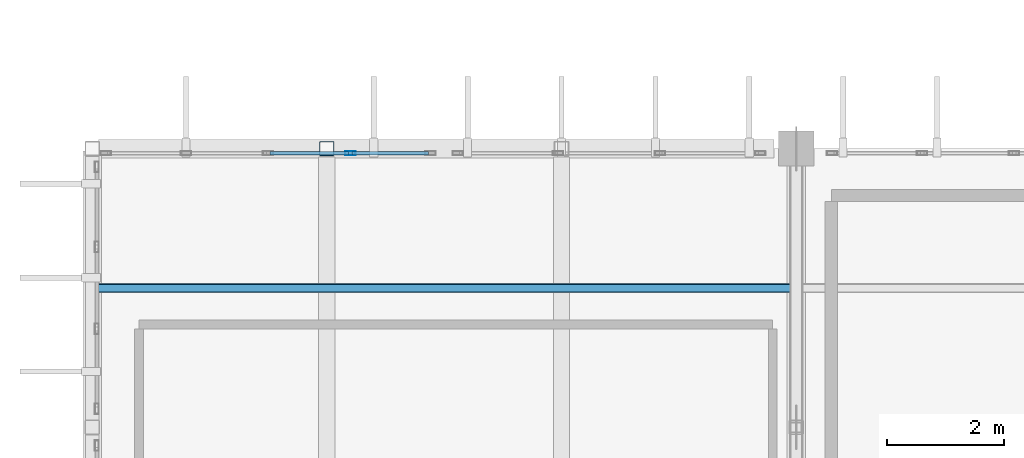
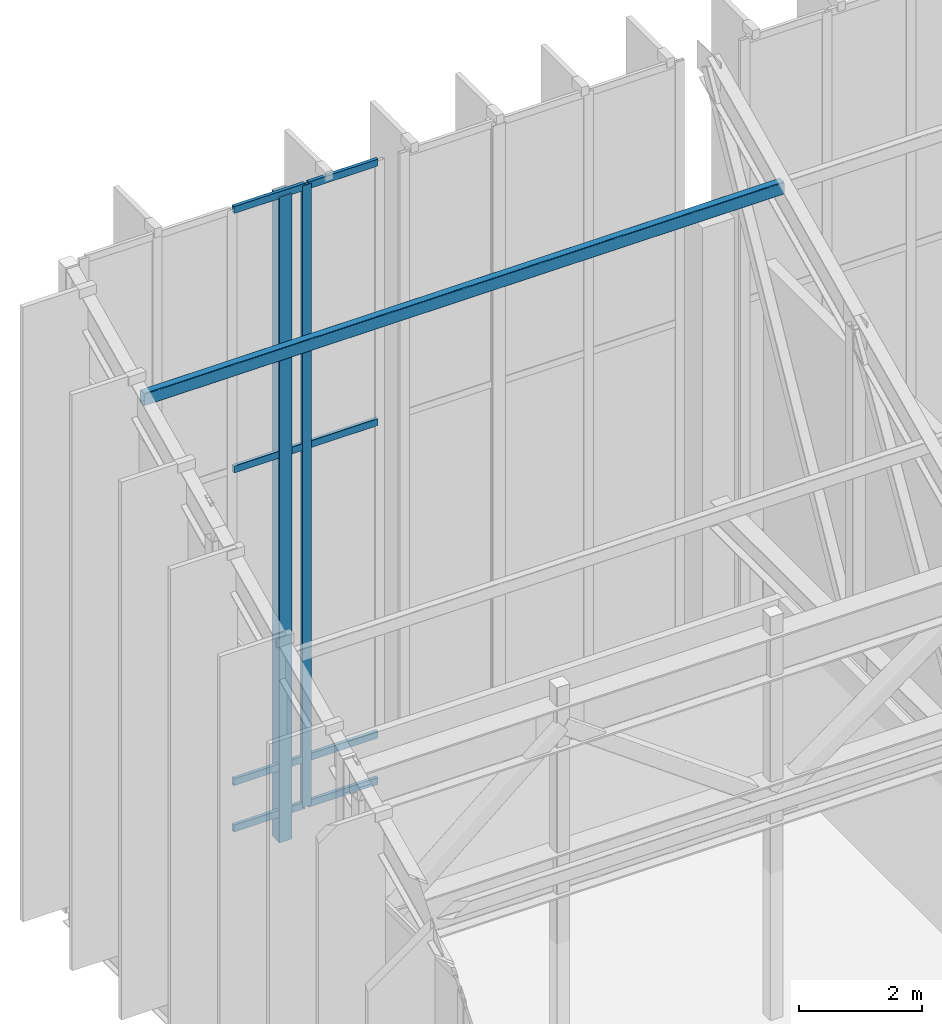
# One storey, part 30 of 68: 11 members, 1 element without a shape of its own.
"""IFC4 building model written with IfcOpenShell, lengths in metres."""

from ifc_helpers import new_model, si_unit, direction, frame, origin, origin_2d, place, context, subcontext, project, spatial, hollow_rectangle, extrude, material, material_profile, profile_set, type_object, element, aggregate, save


model = new_model("IFC4")

# Units and contexts
model_context = context("Model", 3, precision=1e-05, world=origin(), true_north=direction((0.0, 1.0)))
body_context = subcontext(model_context, "Body", "Model", "MODEL_VIEW")
ifc_project = project(units=[si_unit("LENGTHUNIT", "METRE"), si_unit("AREAUNIT", "SQUARE_METRE"), si_unit("VOLUMEUNIT", "CUBIC_METRE"), si_unit("PLANEANGLEUNIT", "RADIAN"), si_unit("MASSUNIT", "GRAM", prefix="KILO")], contexts=[model_context])

# Site, building, storey
site_placement = place(None, origin())
site = spatial("IfcSite", under=ifc_project, at=site_placement, CompositionType="ELEMENT")
building_placement = place(site_placement, origin())
building = spatial("IfcBuilding", under=site, at=building_placement, Name="Miravela Opera House", CompositionType="ELEMENT")
storey_placement = place(building_placement, frame((0.0, 0.0, 21.760009765625)))
storey = spatial("IfcBuildingStorey", under=building, at=storey_placement, Name="L05", CompositionType="ELEMENT", Elevation=21.760009765625)

# Curtain wall, members
ifc_material_1 = material(Name="Anodised architectural bronze aluminium 6063-T6", Category="aluminium")
curtain_wall_type = type_object("IfcCurtainWallType", Name="ARC-CW-03", PredefinedType="NOTDEFINED", material=ifc_material_1)
curtain_wall_placement = place(storey_placement, origin())
curtain_wall = element("IfcCurtainWall", 1, at=curtain_wall_placement, inside=storey, type_object=curtain_wall_type, Name="Auditorium North Wrapper Glazing CW-L05-055", PredefinedType="NOTDEFINED")
ifc_material_profile_1 = material_profile(ifc_material_1, hollow_rectangle(XDim=0.06494140625, YDim=0.179931640625, WallThickness=0.00390625, InnerFilletRadius=0.001953125, OuterFilletRadius=0.00390625, at=origin_2d()), Name="CWM-65X180")
ifc_profile_set_1 = profile_set([ifc_material_profile_1])
member_type_1 = type_object("IfcMemberType", Name="ARC-CWM-180", PredefinedType="MULLION", material=ifc_profile_set_1)
member_1_placement = place(storey_placement, frame((19.39990234375, 74.919921875, 0.0), z_axis=(0.0, 0.0, 1.0), x_axis=(0.0, 1.0, 0.0)))
member_1 = element("IfcMember", 2, at=member_1_placement, type_object=member_type_1, Name="CW-03 mullion 4", PredefinedType="MULLION", context=body_context, shape_type="SweptSolid", body=[
    extrude(hollow_rectangle(XDim=0.06494140625, YDim=0.179931640625, WallThickness=0.00390625, InnerFilletRadius=0.001953125, OuterFilletRadius=0.00390625, at=origin_2d()), origin(), (0.0, 0.0, 1.0), 12.31005859375),
])
ifc_material_profile_2 = material_profile(ifc_material_1, hollow_rectangle(XDim=0.06494140625, YDim=0.139892578125, WallThickness=0.00390625, InnerFilletRadius=0.001953125, OuterFilletRadius=0.00390625, at=origin_2d()), Name="CWT-65X140")
ifc_profile_set_2 = profile_set([ifc_material_profile_2])
member_type_2 = type_object("IfcMemberType", Name="ARC-CWT-140", PredefinedType="USERDEFINED", material=ifc_profile_set_2)
member_2_placement = place(storey_placement, frame((18.032470703125, 74.919921875, 0.032470703125), z_axis=(1.0, 0.0, 0.0), x_axis=(0.0, 1.0, 0.0)))
member_2 = element("IfcMember", 3, at=member_2_placement, type_object=member_type_2, Name="CW-03 transom 3.1", ObjectType="TRANSOM", PredefinedType="USERDEFINED", context=body_context, shape_type="SweptSolid", body=[
    extrude(hollow_rectangle(XDim=0.06494140625, YDim=0.139892578125, WallThickness=0.00390625, InnerFilletRadius=0.001953125, OuterFilletRadius=0.00390625, at=origin_2d()), origin(), (0.0, 0.0, 1.0), 1.3349609375),
])
member_3_placement = place(storey_placement, frame((18.032470703125, 74.919921875, 0.949951171875), z_axis=(1.0, 0.0, 0.0), x_axis=(0.0, 1.0, 0.0)))
member_3 = element("IfcMember", 4, at=member_3_placement, type_object=member_type_2, Name="CW-03 transom 3.2", ObjectType="TRANSOM", PredefinedType="USERDEFINED", context=body_context, shape_type="SweptSolid", body=[
    extrude(hollow_rectangle(XDim=0.06494140625, YDim=0.139892578125, WallThickness=0.00390625, InnerFilletRadius=0.001953125, OuterFilletRadius=0.00390625, at=origin_2d()), origin(), (0.0, 0.0, 1.0), 1.3349609375),
])
member_4_placement = place(storey_placement, frame((18.032470703125, 74.919921875, 7.139892578125), z_axis=(1.0, 0.0, 0.0), x_axis=(0.0, 1.0, 0.0)))
member_4 = element("IfcMember", 5, at=member_4_placement, type_object=member_type_2, Name="CW-03 transom 3.3", ObjectType="TRANSOM", PredefinedType="USERDEFINED", context=body_context, shape_type="SweptSolid", body=[
    extrude(hollow_rectangle(XDim=0.06494140625, YDim=0.139892578125, WallThickness=0.00390625, InnerFilletRadius=0.001953125, OuterFilletRadius=0.00390625, at=origin_2d()), origin(), (0.0, 0.0, 1.0), 1.3349609375),
])
member_5_placement = place(storey_placement, frame((18.032470703125, 74.919921875, 12.277587890625), z_axis=(1.0, 0.0, 0.0), x_axis=(0.0, 1.0, 0.0)))
member_5 = element("IfcMember", 6, at=member_5_placement, type_object=member_type_2, Name="CW-03 transom 3.4", ObjectType="TRANSOM", PredefinedType="USERDEFINED", context=body_context, shape_type="SweptSolid", body=[
    extrude(hollow_rectangle(XDim=0.06494140625, YDim=0.139892578125, WallThickness=0.00390625, InnerFilletRadius=0.001953125, OuterFilletRadius=0.00390625, at=origin_2d()), origin(), (0.0, 0.0, 1.0), 1.3349609375),
])
member_6_placement = place(storey_placement, frame((19.4326171875, 74.919921875, 0.032470703125), z_axis=(1.0, 0.0, 0.0), x_axis=(0.0, 1.0, 0.0)))
member_6 = element("IfcMember", 7, at=member_6_placement, type_object=member_type_2, Name="CW-03 transom 4.1", ObjectType="TRANSOM", PredefinedType="USERDEFINED", context=body_context, shape_type="SweptSolid", body=[
    extrude(hollow_rectangle(XDim=0.06494140625, YDim=0.139892578125, WallThickness=0.00390625, InnerFilletRadius=0.001953125, OuterFilletRadius=0.00390625, at=origin_2d()), origin(), (0.0, 0.0, 1.0), 1.302490234375),
])
member_7_placement = place(storey_placement, frame((19.4326171875, 74.919921875, 0.949951171875), z_axis=(1.0, 0.0, 0.0), x_axis=(0.0, 1.0, 0.0)))
member_7 = element("IfcMember", 8, at=member_7_placement, type_object=member_type_2, Name="CW-03 transom 4.2", ObjectType="TRANSOM", PredefinedType="USERDEFINED", context=body_context, shape_type="SweptSolid", body=[
    extrude(hollow_rectangle(XDim=0.06494140625, YDim=0.139892578125, WallThickness=0.00390625, InnerFilletRadius=0.001953125, OuterFilletRadius=0.00390625, at=origin_2d()), origin(), (0.0, 0.0, 1.0), 1.302490234375),
])
member_8_placement = place(storey_placement, frame((19.4326171875, 74.919921875, 7.139892578125), z_axis=(1.0, 0.0, 0.0), x_axis=(0.0, 1.0, 0.0)))
member_8 = element("IfcMember", 9, at=member_8_placement, type_object=member_type_2, Name="CW-03 transom 4.3", ObjectType="TRANSOM", PredefinedType="USERDEFINED", context=body_context, shape_type="SweptSolid", body=[
    extrude(hollow_rectangle(XDim=0.06494140625, YDim=0.139892578125, WallThickness=0.00390625, InnerFilletRadius=0.001953125, OuterFilletRadius=0.00390625, at=origin_2d()), origin(), (0.0, 0.0, 1.0), 1.302490234375),
])
member_9_placement = place(storey_placement, frame((19.4326171875, 74.919921875, 12.277587890625), z_axis=(1.0, 0.0, 0.0), x_axis=(0.0, 1.0, 0.0)))
member_9 = element("IfcMember", 10, at=member_9_placement, type_object=member_type_2, Name="CW-03 transom 4.4", ObjectType="TRANSOM", PredefinedType="USERDEFINED", context=body_context, shape_type="SweptSolid", body=[
    extrude(hollow_rectangle(XDim=0.06494140625, YDim=0.139892578125, WallThickness=0.00390625, InnerFilletRadius=0.001953125, OuterFilletRadius=0.00390625, at=origin_2d()), origin(), (0.0, 0.0, 1.0), 1.302490234375),
])
aggregate(curtain_wall, [member_1, member_2, member_3, member_4, member_5, member_6, member_7, member_8, member_9])

# Members
ifc_material_2 = material(Name="Hollow structural steel ASTM A500 Gr. C", Category="steel")
ifc_material_profile_3 = material_profile(ifc_material_2, hollow_rectangle(XDim=0.25, YDim=0.25, WallThickness=0.011962890625, InnerFilletRadius=0.011962890625, OuterFilletRadius=0.02392578125, at=origin_2d()), Name="HSS250X250X12")
ifc_profile_set_3 = profile_set([ifc_material_profile_3])
member_type_3 = type_object("IfcMemberType", Name="STR-MEM-CANT-POST2", PredefinedType="POST", material=ifc_profile_set_3)
member_10_placement = place(storey_placement, frame((19.0, 75.0, -0.5400390625), z_axis=(0.0, 0.0, 1.0), x_axis=(1.0, 0.0, 0.0)))
element("IfcMember", 11, at=member_10_placement, inside=storey, type_object=member_type_3, Name="Upper Wrapper Truss Post L05 X=19.0", PredefinedType="POST", context=body_context, shape_type="SweptSolid", body=[
    extrude(hollow_rectangle(XDim=0.25, YDim=0.25, WallThickness=0.011962890625, InnerFilletRadius=0.011962890625, OuterFilletRadius=0.02392578125, at=origin_2d()), origin(), (0.0, 0.0, 1.0), 12.7900390625),
])
ifc_material_profile_4 = material_profile(ifc_material_2, hollow_rectangle(XDim=0.14990234375, YDim=0.25, WallThickness=0.011962890625, InnerFilletRadius=0.011962890625, OuterFilletRadius=0.02392578125, at=origin_2d()), Name="HSS250X150X12")
ifc_profile_set_4 = profile_set([ifc_material_profile_4])
member_type_4 = type_object("IfcMemberType", Name="STR-MEM-PURLIN-1", PredefinedType="PURLIN", material=ifc_profile_set_4)
member_11_placement = place(storey_placement, frame((15.010009765625, 72.625, 10.994873046875), z_axis=(1.0, 0.0, 0.0), x_axis=(0.0, 1.0, 0.0)))
element("IfcMember", 12, at=member_11_placement, inside=storey, type_object=member_type_4, Name="V-Roof Steel Purlin B8.1", PredefinedType="PURLIN", context=body_context, shape_type="SweptSolid", body=[
    extrude(hollow_rectangle(XDim=0.14990234375, YDim=0.25, WallThickness=0.011962890625, InnerFilletRadius=0.011962890625, OuterFilletRadius=0.02392578125, at=origin_2d()), origin(), (0.0, 0.0, 1.0), 11.97998046875),
])

save(model, "model.ifc")
